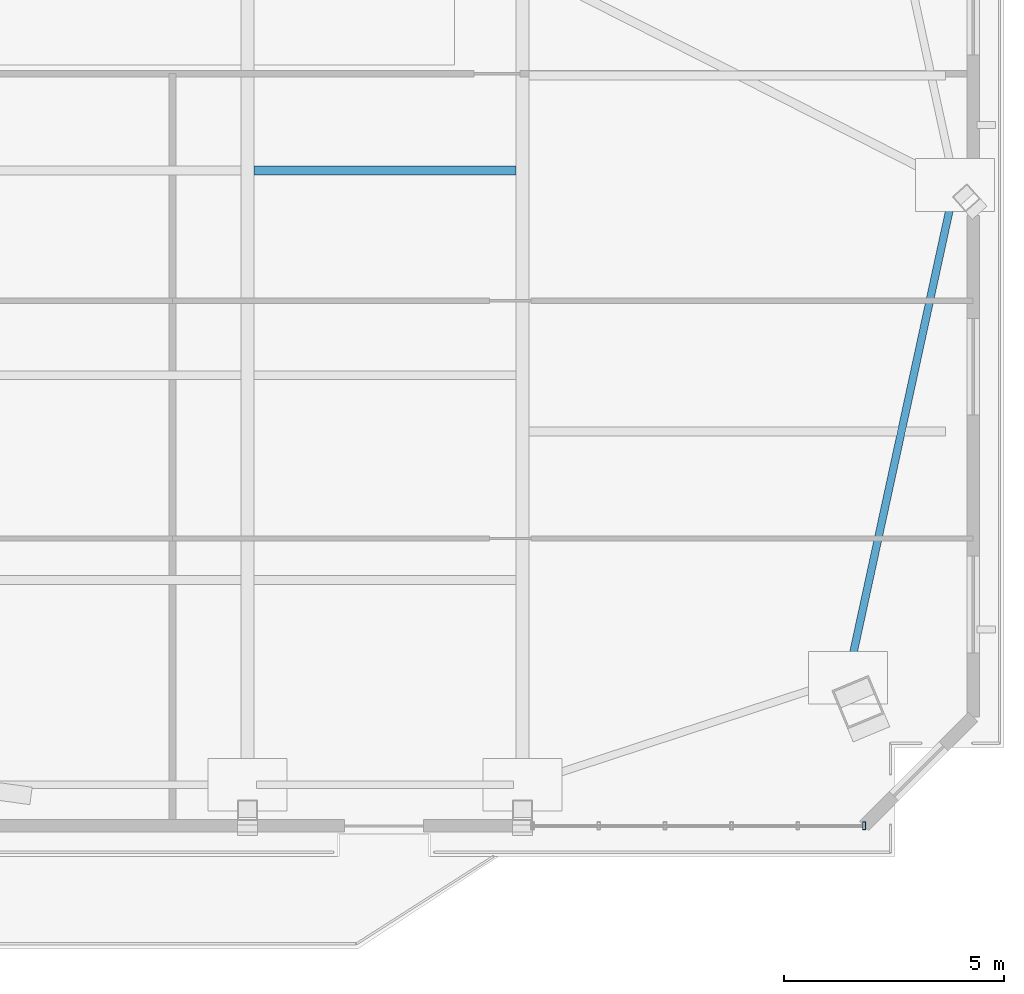
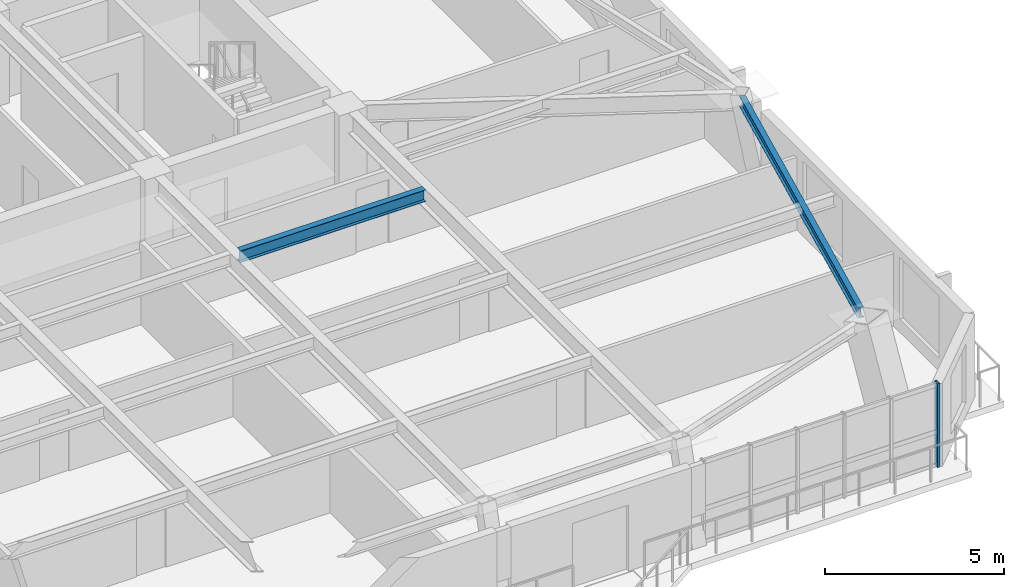
# One storey, part 6 of 15: 2 beams, 1 member, 1 element without a shape of its own.
"""IFC4 building model written with IfcOpenShell, lengths in metres."""

from ifc_helpers import new_model, si_unit, direction, frame, origin, origin_2d, place, context, subcontext, project, spatial, hollow_rectangle, i_section, extrude, source, transform, mapped, material, layer, layer_set, material_profile, profile_set, type_object, element, aggregate, save


model = new_model("IFC4")

# Units and contexts
model_context = context("Model", 3, precision=1e-05, world=origin(), true_north=direction((0.0, 1.0)))
body_context = subcontext(model_context, "Body", "Model", "MODEL_VIEW")
ifc_project = project(units=[si_unit("LENGTHUNIT", "METRE"), si_unit("AREAUNIT", "SQUARE_METRE"), si_unit("VOLUMEUNIT", "CUBIC_METRE"), si_unit("PLANEANGLEUNIT", "RADIAN"), si_unit("MASSUNIT", "GRAM", prefix="KILO")], contexts=[model_context])

# Site, building, storey
site_placement = place(None, origin())
site = spatial("IfcSite", under=ifc_project, at=site_placement, CompositionType="ELEMENT")
building_placement = place(site_placement, origin())
building = spatial("IfcBuilding", under=site, at=building_placement, Name="Giltprow Tower", CompositionType="ELEMENT")
storey_placement = place(building_placement, frame((0.0, 0.0, 290.39990234375)))
storey = spatial("IfcBuildingStorey", under=building, at=storey_placement, Name="L74", CompositionType="ELEMENT", Elevation=290.39990234375)

# Beams
ifc_material_1 = material(Name="Structural steel Q355B", Category="steel")
ifc_material_profile_1 = material_profile(ifc_material_1, i_section(OverallWidth=0.199951171875, OverallDepth=0.39990234375, WebThickness=0.008056640625, FlangeThickness=0.012939453125, at=origin_2d()), Name="HN 400x200x8x13")
ifc_profile_set_1 = profile_set([ifc_material_profile_1], Name="Structural steel Q355B")
beam_type_1 = type_object("IfcBeamType", Name="BM-JOIST-HN400", PredefinedType="JOIST", material=ifc_profile_set_1)
shared_shape_1 = source(origin(), body_context, "Body", "SweptSolid", [
    extrude(i_section(OverallWidth=0.199951171875, OverallDepth=0.39990234375, WebThickness=0.008056640625, FlangeThickness=0.012939453125, at=origin_2d()), origin(), (0.0, 0.0, 1.0), 5.9599609375),
])
beam_1_placement = place(storey_placement, frame((44.445068359375, 32.798095703125, 2.985107421875), z_axis=(1.0, 0.0, 0.0), x_axis=(0.0, 1.0, 0.0)))
element("IfcBeam", 1, at=beam_1_placement, inside=storey, type_object=beam_type_1, Name="L74 Composite Floor Joist 3-4", PredefinedType="JOIST", context=body_context, shape_type="MappedRepresentation", body=[
    mapped(shared_shape_1, transform((0.0, 0.0, 0.0), x_axis=(1.0, 0.0, 0.0), y_axis=(0.0, 1.0, 0.0), z_axis=(0.0, 0.0, 1.0), scale=1.0)),
])
ifc_material_profile_2 = material_profile(ifc_material_1, i_section(OverallWidth=0.175048828125, OverallDepth=0.35009765625, WebThickness=0.007080078125, FlangeThickness=0.010986328125, at=origin_2d()), Name="HN 350x175x7x11")
ifc_profile_set_2 = profile_set([ifc_material_profile_2], Name="Structural steel Q355B")
beam_type_2 = type_object("IfcBeamType", Name="BM-SPAN-HN350", PredefinedType="SPANDREL", material=ifc_profile_set_2)
shared_shape_2 = source(origin(), body_context, "Body", "SweptSolid", [
    extrude(i_section(OverallWidth=0.175048828125, OverallDepth=0.35009765625, WebThickness=0.007080078125, FlangeThickness=0.010986328125, at=origin_2d()), origin(), (0.0, 0.0, 1.0), 10.815185546875),
])
beam_2_placement = place(storey_placement, frame((58.037109375, 21.697021484375, 3.010009765625), z_axis=(0.212104429767, 0.97724700607, 0.0), x_axis=(-0.97724700607, 0.212104429767, 0.0)))
element("IfcBeam", 2, at=beam_2_placement, inside=storey, type_object=beam_type_2, Name="L74 Perimeter Spandrel Beam MC_SE-E_MID", PredefinedType="SPANDREL", context=body_context, shape_type="MappedRepresentation", body=[
    mapped(shared_shape_2, transform((0.0, 0.0, 0.0), x_axis=(1.0, 0.0, 0.0), y_axis=(0.0, 1.0, 0.0), z_axis=(0.0, 0.0, 1.0), scale=1.0)),
])

# Curtain wall, member
ifc_material_2 = material(Name="Anodized bronze", Category="metal")
ifc_layer = layer(ifc_material_2, 0.179931640625, Name="Anodized bronze")
ifc_layer_set = layer_set([ifc_layer], Name="Anodized bronze")
curtain_wall_type = type_object("IfcCurtainWallType", Name="CW-RES-SKY", PredefinedType="NOTDEFINED", material=ifc_layer_set)
curtain_wall_placement = place(storey_placement, origin())
curtain_wall = element("IfcCurtainWall", 3, at=curtain_wall_placement, inside=storey, type_object=curtain_wall_type, Name="L74 South Recessed Curtain Wall 6", PredefinedType="NOTDEFINED")
ifc_material_profile_3 = material_profile(ifc_material_2, hollow_rectangle(XDim=0.074951171875, YDim=0.179931640625, WallThickness=0.008056640625, at=origin_2d()), Name="RHS 180x75x8")
ifc_profile_set_3 = profile_set([ifc_material_profile_3], Name="Anodized bronze")
member_type = type_object("IfcMemberType", Name="CW-MULLION-180x75", PredefinedType="MULLION", material=ifc_profile_set_3)
shared_shape_3 = source(origin(), body_context, "Body", "SweptSolid", [
    extrude(hollow_rectangle(XDim=0.074951171875, YDim=0.179931640625, WallThickness=0.008056640625, at=origin_2d()), origin(), (0.0, 0.0, 1.0), 2.8701171875),
])
member_placement = place(storey_placement, frame((58.31396484375, 17.907958984375, -0.02001953125), z_axis=(0.0, 0.0, 1.0), x_axis=(1.0, 0.0, 0.0)))
member = element("IfcMember", 4, at=member_placement, type_object=member_type, Name="L74 South Recessed Curtain Wall 6 Mullion 6", PredefinedType="MULLION", context=body_context, shape_type="MappedRepresentation", body=[
    mapped(shared_shape_3, transform((0.0, 0.0, 0.0), x_axis=(1.0, 0.0, 0.0), y_axis=(0.0, 1.0, 0.0), z_axis=(0.0, 0.0, 1.0), scale=1.0)),
])
aggregate(curtain_wall, [member])

save(model, "model.ifc")
